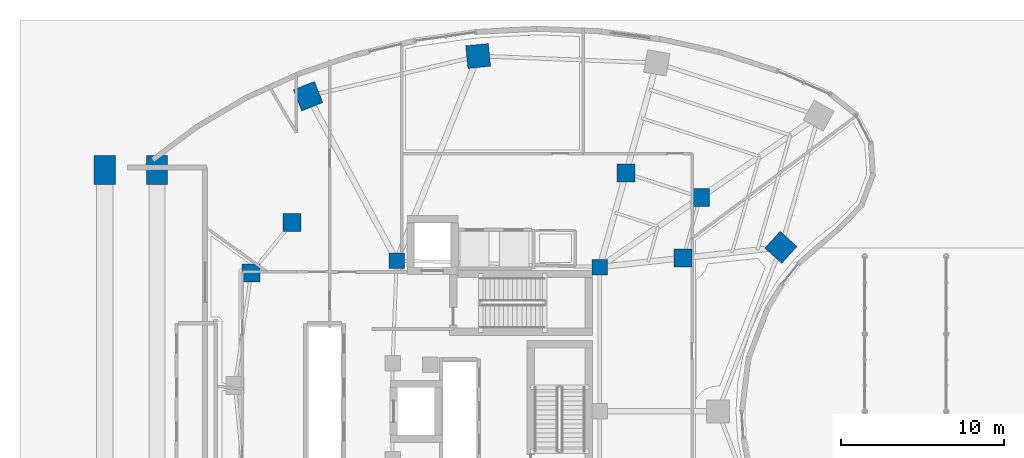
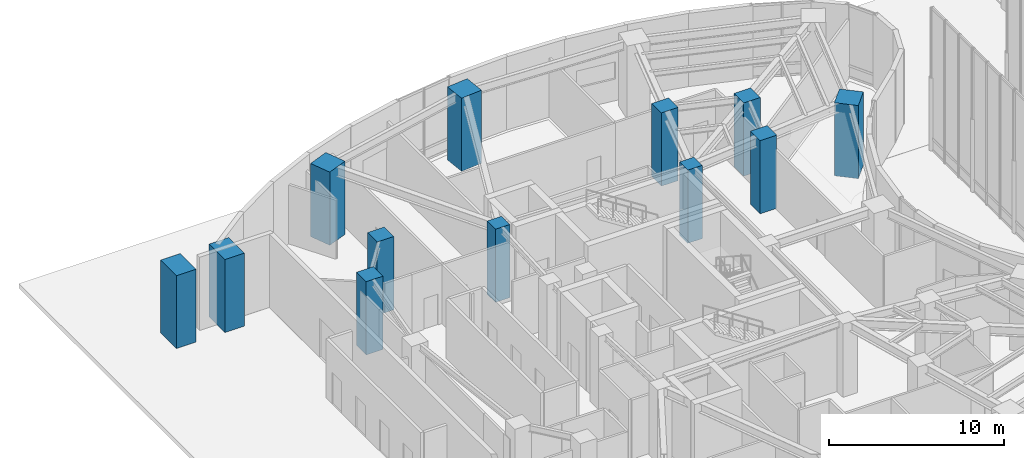
# One storey, part 3 of 28: 12 columns.
"""IFC4 building model written with IfcOpenShell, lengths in metres."""

from ifc_helpers import new_model, si_unit, direction, frame, origin, origin_2d, place, context, subcontext, project, spatial, rectangle, extrude, material, material_profile, profile_set, type_object, element, save


model = new_model("IFC4")

# Units and contexts
model_context = context("Model", 3, precision=1e-05, world=origin(), true_north=direction((0.0, 1.0)))
body_context = subcontext(model_context, "Body", "Model", "MODEL_VIEW")
ifc_project = project(units=[si_unit("LENGTHUNIT", "METRE"), si_unit("AREAUNIT", "SQUARE_METRE"), si_unit("VOLUMEUNIT", "CUBIC_METRE"), si_unit("PLANEANGLEUNIT", "RADIAN"), si_unit("MASSUNIT", "GRAM", prefix="KILO")], contexts=[model_context])

# Site, building, storey
site_placement = place(None, origin())
site = spatial("IfcSite", under=ifc_project, at=site_placement, CompositionType="ELEMENT")
building_placement = place(site_placement, origin())
building = spatial("IfcBuilding", under=site, at=building_placement, Name="Korentha Bioscience Tower", CompositionType="ELEMENT")
storey_placement = place(building_placement, origin())
storey = spatial("IfcBuildingStorey", under=building, at=storey_placement, Name="L00", CompositionType="ELEMENT", Elevation=0.0)

# Columns
ifc_material_1 = material(Name="Concrete C65", Category="concrete")
ifc_material_profile_1 = material_profile(ifc_material_1, rectangle(XDim=0.949951171875, YDim=0.949951171875, at=origin_2d()), Name="Concrete C65")
ifc_profile_set_1 = profile_set([ifc_material_profile_1], Name="Concrete C65 (COL-CP09)")
column_type_1 = type_object("IfcColumnType", Name="Core Pilaster Column RC 950x950", PredefinedType="PILASTER", material=ifc_profile_set_1)
for number, where, z_axis, x_axis, name in (
    (1, (37.550048828125, 35.85009765625, -0.00048828125), (0.0, 0.0, 1.0), (1.0, 0.0, 0.0), "L00 Core Pilaster CP-01"),
    (2, (25.10009765625, 36.25, -0.00048828125), (0.0, 0.0, 1.0), (1.0, 0.0, 0.0), "L00 Core Pilaster CP-02"),
):
    element("IfcColumn", number, at=place(storey_placement, frame(where, z_axis=z_axis, x_axis=x_axis)), inside=storey, type_object=column_type_1, Name=name, PredefinedType="PILASTER", context=body_context, shape_type="SweptSolid", body=[
        extrude(rectangle(XDim=0.949951171875, YDim=0.949951171875, at=origin_2d()), origin(), (0.0, 0.0, 1.0), 5.10107421875),
    ])
ifc_material_2 = material(Name="Concrete C80", Category="concrete")
ifc_material_profile_2 = material_profile(ifc_material_2, rectangle(XDim=1.10009765625, YDim=1.10009765625, at=origin_2d()), Name="Concrete C80")
ifc_profile_set_2 = profile_set([ifc_material_profile_2], Name="Concrete C80 (COL-MR11)")
column_type_2 = type_object("IfcColumnType", Name="Mid-Ring Lab Column RC 1100x1100", PredefinedType="COLUMN", material=ifc_profile_set_2)
for number, where, z_axis, x_axis, name in (
    (3, (43.7265625, 40.121337890625, -0.00048828125), (0.0, 0.0, 1.0), (1.0, 0.0, 0.0), "L00 Mid-Ring Column 01"),
    (4, (39.1611328125, 41.607666015625, -0.00048828125), (0.0, 0.0, 1.0), (1.0, 0.0, 0.0), "L00 Mid-Ring Column 02"),
    (5, (18.692138671875, 38.5947265625, -0.00048828125), (0.0, 0.0, 1.0), (1.0, 0.0, 0.0), "L00 Mid-Ring Column 05"),
    (6, (16.174072265625, 35.489013671875, -0.00048828125), (0.0, 0.0, 1.0), (1.0, 0.0, 0.0), "L00 Mid-Ring Column 06"),
    (7, (42.66162109375, 36.406982421875, -0.00048828125), (0.0, 0.0, 1.0), (1.0, 0.0, 0.0), "L00 Mid-Ring Column 16"),
):
    element("IfcColumn", number, at=place(storey_placement, frame(where, z_axis=z_axis, x_axis=x_axis)), inside=storey, type_object=column_type_2, Name=name, PredefinedType="COLUMN", context=body_context, shape_type="SweptSolid", body=[
        extrude(rectangle(XDim=1.10009765625, YDim=1.10009765625, at=origin_2d()), origin(), (0.0, 0.0, 1.0), 5.10107421875),
    ])
ifc_material_profile_3 = material_profile(ifc_material_2, rectangle(XDim=1.300048828125, YDim=1.800048828125, at=origin_2d()), Name="Concrete C80")
ifc_profile_set_3 = profile_set([ifc_material_profile_3], Name="Concrete C80 (AR-C1)")
column_type_3 = type_object("IfcColumnType", Name="Parabolic Arch Springing Column 1800x1300", PredefinedType="PILASTER", material=ifc_profile_set_3)
for number, where, z_axis, x_axis, name in (
    (8, (7.199951171875, 41.800048828125, 0.0), (0.0, 0.0, 1.0), (1.0, 0.0, 0.0), "L00 Parabolic Arch Springing Pier 1-N"),
    (9, (10.39990234375, 41.800048828125, 0.0), (0.0, 0.0, 1.0), (1.0, 0.0, 0.0), "L00 Parabolic Arch Springing Pier 2-N"),
):
    element("IfcColumn", number, at=place(storey_placement, frame(where, z_axis=z_axis, x_axis=x_axis)), inside=storey, type_object=column_type_3, Name=name, PredefinedType="PILASTER", context=body_context, shape_type="SweptSolid", body=[
        extrude(rectangle(XDim=1.300048828125, YDim=1.800048828125, at=origin_2d()), origin(), (0.0, 0.0, 1.0), 5.080078125),
    ])
ifc_material_profile_4 = material_profile(ifc_material_2, rectangle(XDim=1.39990234375, YDim=1.39990234375, at=origin_2d()), Name="Concrete C80")
ifc_profile_set_4 = profile_set([ifc_material_profile_4], Name="Concrete C80 (COL-P14)")
column_type_4 = type_object("IfcColumnType", Name="Perimeter Column RC 1400x1400", PredefinedType="COLUMN", material=ifc_profile_set_4)
for number, where, z_axis, x_axis, name in (
    (10, (30.09423828125, 48.79248046875, -0.00048828125), (0.0, 0.0, 1.0), (0.995462868748, 0.095150811579, 0.0), "L00 Perimeter Column 03"),
    (11, (19.66650390625, 46.328857421875, -0.00048828125), (0.0, 0.0, 1.0), (0.930225540858, 0.366988341962, 0.0), "L00 Perimeter Column 04"),
    (12, (48.661865234375, 37.060791015625, -0.00048828125), (0.0, 0.0, 1.0), (0.669130606359, 0.743144825477, 0.0), "L00 Perimeter Column 16"),
):
    element("IfcColumn", number, at=place(storey_placement, frame(where, z_axis=z_axis, x_axis=x_axis)), inside=storey, type_object=column_type_4, Name=name, PredefinedType="COLUMN", context=body_context, shape_type="SweptSolid", body=[
        extrude(rectangle(XDim=1.39990234375, YDim=1.39990234375, at=origin_2d()), origin(), (0.0, 0.0, 1.0), 5.10107421875),
    ])

save(model, "model.ifc")
